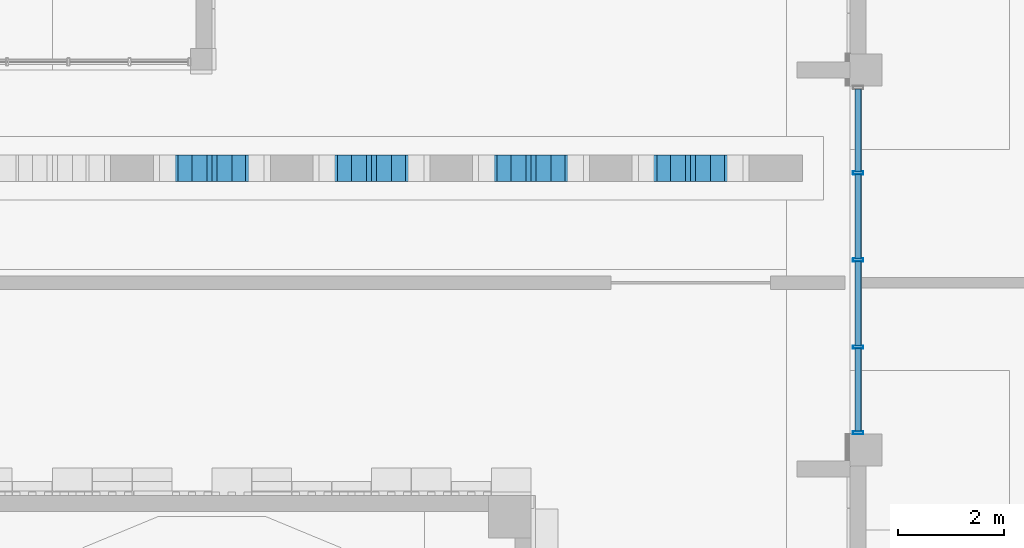
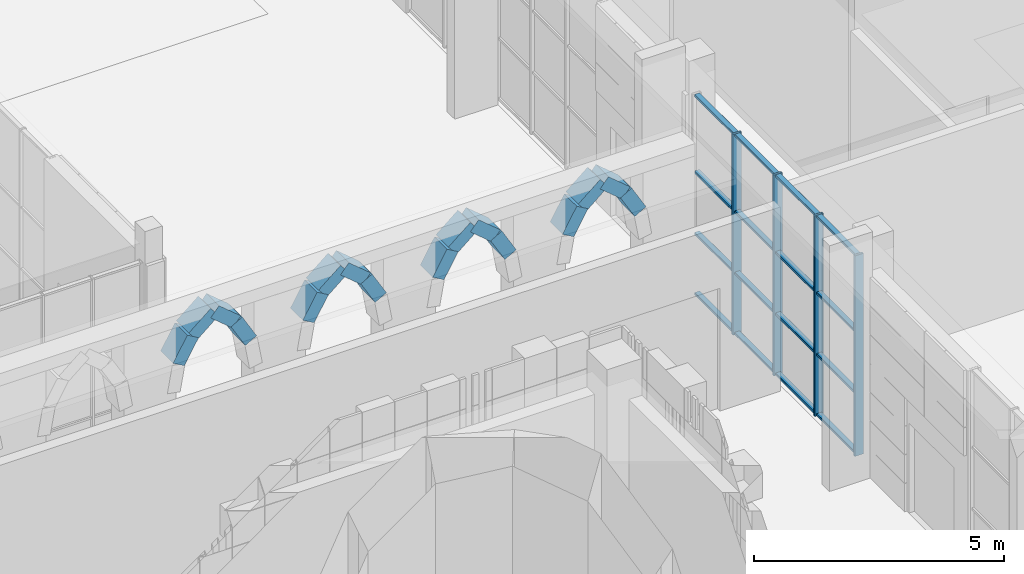
# One storey, part 27 of 125: 36 members, 1 element without a shape of its own.
"""IFC4 building model written with IfcOpenShell, lengths in metres."""

from ifc_helpers import new_model, si_unit, direction, frame, origin, origin_2d, place, context, subcontext, project, spatial, rectangle, hollow_rectangle, extrude, material, material_profile, profile_set, type_object, element, aggregate, save


model = new_model("IFC4")

# Units and contexts
model_context = context("Model", 3, precision=1e-05, world=origin(), true_north=direction((0.0, 1.0)))
body_context = subcontext(model_context, "Body", "Model", "MODEL_VIEW")
ifc_project = project(units=[si_unit("LENGTHUNIT", "METRE"), si_unit("AREAUNIT", "SQUARE_METRE"), si_unit("VOLUMEUNIT", "CUBIC_METRE"), si_unit("PLANEANGLEUNIT", "RADIAN"), si_unit("MASSUNIT", "GRAM", prefix="KILO")], contexts=[model_context])

# Site, building, storey
site_placement = place(None, origin())
site = spatial("IfcSite", under=ifc_project, at=site_placement, CompositionType="ELEMENT")
building_placement = place(site_placement, origin())
building = spatial("IfcBuilding", under=site, at=building_placement, Name="Sun Court Science Centre", CompositionType="ELEMENT")
storey_placement = place(building_placement, origin())
storey = spatial("IfcBuildingStorey", under=building, at=storey_placement, Name="L00", CompositionType="ELEMENT", Elevation=0.0)

# Members
ifc_material_1 = material(Name="Concrete C30/37", Category="concrete")
ifc_material_profile_1 = material_profile(ifc_material_1, rectangle(XDim=0.5, YDim=0.300048828125, at=origin_2d()), Name="RC 500x300")
ifc_profile_set_1 = profile_set([ifc_material_profile_1], Name="Concrete C30/37")
member_type_1 = type_object("IfcMemberType", Name="Arcade arch rib RC 500x300", PredefinedType="MEMBER", material=ifc_profile_set_1)
member_1_placement = place(storey_placement, frame((65.16455078125, 34.14990234375, 3.8798828125), z_axis=(0.500117354631, 0.0, 0.865957638454), x_axis=(0.0, 1.0, 0.0)))
element("IfcMember", 1, at=member_1_placement, inside=storey, type_object=member_type_1, Name="Arcade arch rib AR1 bay 14", PredefinedType="MEMBER", context=body_context, shape_type="SweptSolid", body=[
    extrude(rectangle(XDim=0.5, YDim=0.300048828125, at=origin_2d()), origin(), (0.0, 0.0, 1.0), 0.659912109375),
])
member_2_placement = place(storey_placement, frame((65.49462890625, 34.14990234375, 4.451416015625), z_axis=(0.76603282395, 0.0, 0.642801456619), x_axis=(0.0, 1.0, 0.0)))
element("IfcMember", 2, at=member_2_placement, inside=storey, type_object=member_type_1, Name="Arcade arch rib AR1 bay 14", PredefinedType="MEMBER", context=body_context, shape_type="SweptSolid", body=[
    extrude(rectangle(XDim=0.5, YDim=0.300048828125, at=origin_2d()), origin(), (0.0, 0.0, 1.0), 0.65966796875),
])
member_3_placement = place(storey_placement, frame((66.83544921875, 34.14990234375, 3.8798828125), z_axis=(-0.500117354631, 0.0, 0.865957638454), x_axis=(0.0, -1.0, 0.0)))
element("IfcMember", 3, at=member_3_placement, inside=storey, type_object=member_type_1, Name="Arcade arch rib AR1 bay 14", PredefinedType="MEMBER", context=body_context, shape_type="SweptSolid", body=[
    extrude(rectangle(XDim=0.5, YDim=0.300048828125, at=origin_2d()), origin(), (0.0, 0.0, 1.0), 0.659912109375),
])
member_4_placement = place(storey_placement, frame((66.50537109375, 34.14990234375, 4.451416015625), z_axis=(-0.76603282395, 0.0, 0.642801456619), x_axis=(0.0, -1.0, 0.0)))
element("IfcMember", 4, at=member_4_placement, inside=storey, type_object=member_type_1, Name="Arcade arch rib AR1 bay 14", PredefinedType="MEMBER", context=body_context, shape_type="SweptSolid", body=[
    extrude(rectangle(XDim=0.5, YDim=0.300048828125, at=origin_2d()), origin(), (0.0, 0.0, 1.0), 0.65966796875),
])
member_5_placement = place(storey_placement, frame((68.16455078125, 34.14990234375, 3.8798828125), z_axis=(0.500117354631, 0.0, 0.865957638454), x_axis=(0.0, 1.0, 0.0)))
element("IfcMember", 5, at=member_5_placement, inside=storey, type_object=member_type_1, Name="Arcade arch rib AR1 bay 15", PredefinedType="MEMBER", context=body_context, shape_type="SweptSolid", body=[
    extrude(rectangle(XDim=0.5, YDim=0.300048828125, at=origin_2d()), origin(), (0.0, 0.0, 1.0), 0.659912109375),
])
member_6_placement = place(storey_placement, frame((68.49462890625, 34.14990234375, 4.451416015625), z_axis=(0.76603282395, 0.0, 0.642801456619), x_axis=(0.0, 1.0, 0.0)))
element("IfcMember", 6, at=member_6_placement, inside=storey, type_object=member_type_1, Name="Arcade arch rib AR1 bay 15", PredefinedType="MEMBER", context=body_context, shape_type="SweptSolid", body=[
    extrude(rectangle(XDim=0.5, YDim=0.300048828125, at=origin_2d()), origin(), (0.0, 0.0, 1.0), 0.65966796875),
])
member_7_placement = place(storey_placement, frame((69.83544921875, 34.14990234375, 3.8798828125), z_axis=(-0.500117354631, 0.0, 0.865957638454), x_axis=(0.0, -1.0, 0.0)))
element("IfcMember", 7, at=member_7_placement, inside=storey, type_object=member_type_1, Name="Arcade arch rib AR1 bay 15", PredefinedType="MEMBER", context=body_context, shape_type="SweptSolid", body=[
    extrude(rectangle(XDim=0.5, YDim=0.300048828125, at=origin_2d()), origin(), (0.0, 0.0, 1.0), 0.659912109375),
])
member_8_placement = place(storey_placement, frame((69.50537109375, 34.14990234375, 4.451416015625), z_axis=(-0.76603282395, 0.0, 0.642801456619), x_axis=(0.0, -1.0, 0.0)))
element("IfcMember", 8, at=member_8_placement, inside=storey, type_object=member_type_1, Name="Arcade arch rib AR1 bay 15", PredefinedType="MEMBER", context=body_context, shape_type="SweptSolid", body=[
    extrude(rectangle(XDim=0.5, YDim=0.300048828125, at=origin_2d()), origin(), (0.0, 0.0, 1.0), 0.65966796875),
])
member_9_placement = place(storey_placement, frame((71.16455078125, 34.14990234375, 3.8798828125), z_axis=(0.500117354631, 0.0, 0.865957638454), x_axis=(0.0, 1.0, 0.0)))
element("IfcMember", 9, at=member_9_placement, inside=storey, type_object=member_type_1, Name="Arcade arch rib AR1 bay 16", PredefinedType="MEMBER", context=body_context, shape_type="SweptSolid", body=[
    extrude(rectangle(XDim=0.5, YDim=0.300048828125, at=origin_2d()), origin(), (0.0, 0.0, 1.0), 0.659912109375),
])
member_10_placement = place(storey_placement, frame((71.49462890625, 34.14990234375, 4.451416015625), z_axis=(0.76603282395, 0.0, 0.642801456619), x_axis=(0.0, 1.0, 0.0)))
element("IfcMember", 10, at=member_10_placement, inside=storey, type_object=member_type_1, Name="Arcade arch rib AR1 bay 16", PredefinedType="MEMBER", context=body_context, shape_type="SweptSolid", body=[
    extrude(rectangle(XDim=0.5, YDim=0.300048828125, at=origin_2d()), origin(), (0.0, 0.0, 1.0), 0.65966796875),
])
member_11_placement = place(storey_placement, frame((72.83544921875, 34.14990234375, 3.8798828125), z_axis=(-0.500117354631, 0.0, 0.865957638454), x_axis=(0.0, -1.0, 0.0)))
element("IfcMember", 11, at=member_11_placement, inside=storey, type_object=member_type_1, Name="Arcade arch rib AR1 bay 16", PredefinedType="MEMBER", context=body_context, shape_type="SweptSolid", body=[
    extrude(rectangle(XDim=0.5, YDim=0.300048828125, at=origin_2d()), origin(), (0.0, 0.0, 1.0), 0.659912109375),
])
member_12_placement = place(storey_placement, frame((72.50537109375, 34.14990234375, 4.451416015625), z_axis=(-0.76603282395, 0.0, 0.642801456619), x_axis=(0.0, -1.0, 0.0)))
element("IfcMember", 12, at=member_12_placement, inside=storey, type_object=member_type_1, Name="Arcade arch rib AR1 bay 16", PredefinedType="MEMBER", context=body_context, shape_type="SweptSolid", body=[
    extrude(rectangle(XDim=0.5, YDim=0.300048828125, at=origin_2d()), origin(), (0.0, 0.0, 1.0), 0.65966796875),
])
member_13_placement = place(storey_placement, frame((74.16455078125, 34.14990234375, 3.8798828125), z_axis=(0.500117354631, 0.0, 0.865957638454), x_axis=(0.0, 1.0, 0.0)))
element("IfcMember", 13, at=member_13_placement, inside=storey, type_object=member_type_1, Name="Arcade arch rib AR1 bay 17", PredefinedType="MEMBER", context=body_context, shape_type="SweptSolid", body=[
    extrude(rectangle(XDim=0.5, YDim=0.300048828125, at=origin_2d()), origin(), (0.0, 0.0, 1.0), 0.659912109375),
])
member_14_placement = place(storey_placement, frame((74.49462890625, 34.14990234375, 4.451416015625), z_axis=(0.76603282395, 0.0, 0.642801456619), x_axis=(0.0, 1.0, 0.0)))
element("IfcMember", 14, at=member_14_placement, inside=storey, type_object=member_type_1, Name="Arcade arch rib AR1 bay 17", PredefinedType="MEMBER", context=body_context, shape_type="SweptSolid", body=[
    extrude(rectangle(XDim=0.5, YDim=0.300048828125, at=origin_2d()), origin(), (0.0, 0.0, 1.0), 0.65966796875),
])
member_15_placement = place(storey_placement, frame((75.83544921875, 34.14990234375, 3.8798828125), z_axis=(-0.500117354631, 0.0, 0.865957638454), x_axis=(0.0, -1.0, 0.0)))
element("IfcMember", 15, at=member_15_placement, inside=storey, type_object=member_type_1, Name="Arcade arch rib AR1 bay 17", PredefinedType="MEMBER", context=body_context, shape_type="SweptSolid", body=[
    extrude(rectangle(XDim=0.5, YDim=0.300048828125, at=origin_2d()), origin(), (0.0, 0.0, 1.0), 0.659912109375),
])
member_16_placement = place(storey_placement, frame((75.50537109375, 34.14990234375, 4.451416015625), z_axis=(-0.76603282395, 0.0, 0.642801456619), x_axis=(0.0, -1.0, 0.0)))
element("IfcMember", 16, at=member_16_placement, inside=storey, type_object=member_type_1, Name="Arcade arch rib AR1 bay 17", PredefinedType="MEMBER", context=body_context, shape_type="SweptSolid", body=[
    extrude(rectangle(XDim=0.5, YDim=0.300048828125, at=origin_2d()), origin(), (0.0, 0.0, 1.0), 0.65966796875),
])

# Curtain wall, members
ifc_material_2 = material(Name="Aluminium EN AW-6063 T6", Category="aluminium")
curtain_wall_type = type_object("IfcCurtainWallType", Name="Laboratory tall bay curtain wall 1500", PredefinedType="NOTDEFINED", material=ifc_material_2)
curtain_wall_placement = place(storey_placement, origin())
curtain_wall = element("IfcCurtainWall", 17, at=curtain_wall_placement, inside=storey, type_object=curtain_wall_type, Name="Curtain wall V4 W L00 03", PredefinedType="NOTDEFINED")
ifc_material_3 = material(Name="Aluminium EN AW-6063 T6", Category="aluminium")
ifc_material_profile_2 = material_profile(ifc_material_3, hollow_rectangle(XDim=0.06005859375, YDim=0.199951171875, WallThickness=0.0048828125, InnerFilletRadius=0.0048828125, OuterFilletRadius=0.007568359375, at=origin_2d()), Name="AL 60x200x5")
ifc_profile_set_2 = profile_set([ifc_material_profile_2], Name="Aluminium EN AW-6063 T6")
member_type_2 = type_object("IfcMemberType", Name="Curtain wall mullion AL 60x200", PredefinedType="MULLION", material=ifc_profile_set_2)
member_17_placement = place(storey_placement, frame((78.14990234375, 29.179931640625, 0.0), z_axis=(0.0, 0.0, 1.0), x_axis=(0.0, 1.0, 0.0)))
member_17 = element("IfcMember", 18, at=member_17_placement, type_object=member_type_2, Name="CW2-03 mullion 1", PredefinedType="MULLION", context=body_context, shape_type="SweptSolid", body=[
    extrude(hollow_rectangle(XDim=0.06005859375, YDim=0.199951171875, WallThickness=0.0048828125, InnerFilletRadius=0.0048828125, OuterFilletRadius=0.007568359375, at=origin_2d()), origin(), (0.0, 0.0, 1.0), 4.89990234375),
])
member_18_placement = place(storey_placement, frame((78.14990234375, 30.78759765625, 0.0), z_axis=(0.0, 0.0, 1.0), x_axis=(0.0, 1.0, 0.0)))
member_18 = element("IfcMember", 19, at=member_18_placement, type_object=member_type_2, Name="CW2-03 mullion 2", PredefinedType="MULLION", context=body_context, shape_type="SweptSolid", body=[
    extrude(hollow_rectangle(XDim=0.06005859375, YDim=0.199951171875, WallThickness=0.0048828125, InnerFilletRadius=0.0048828125, OuterFilletRadius=0.007568359375, at=origin_2d()), origin(), (0.0, 0.0, 1.0), 4.89990234375),
])
member_19_placement = place(storey_placement, frame((78.14990234375, 32.425048828125, 0.0), z_axis=(0.0, 0.0, 1.0), x_axis=(0.0, 1.0, 0.0)))
member_19 = element("IfcMember", 20, at=member_19_placement, type_object=member_type_2, Name="CW2-03 mullion 3", PredefinedType="MULLION", context=body_context, shape_type="SweptSolid", body=[
    extrude(hollow_rectangle(XDim=0.06005859375, YDim=0.199951171875, WallThickness=0.0048828125, InnerFilletRadius=0.0048828125, OuterFilletRadius=0.007568359375, at=origin_2d()), origin(), (0.0, 0.0, 1.0), 4.89990234375),
])
member_20_placement = place(storey_placement, frame((78.14990234375, 34.0625, 0.0), z_axis=(0.0, 0.0, 1.0), x_axis=(0.0, 1.0, 0.0)))
member_20 = element("IfcMember", 21, at=member_20_placement, type_object=member_type_2, Name="CW2-03 mullion 4", PredefinedType="MULLION", context=body_context, shape_type="SweptSolid", body=[
    extrude(hollow_rectangle(XDim=0.06005859375, YDim=0.199951171875, WallThickness=0.0048828125, InnerFilletRadius=0.0048828125, OuterFilletRadius=0.007568359375, at=origin_2d()), origin(), (0.0, 0.0, 1.0), 4.89990234375),
])
ifc_material_4 = material(Name="Aluminium EN AW-6063 T6", Category="aluminium")
ifc_material_profile_3 = material_profile(ifc_material_4, hollow_rectangle(XDim=0.06005859375, YDim=0.1201171875, WallThickness=0.00390625, InnerFilletRadius=0.00390625, OuterFilletRadius=0.006103515625, at=origin_2d()), Name="AL 60x120x4")
ifc_profile_set_3 = profile_set([ifc_material_profile_3], Name="Aluminium EN AW-6063 T6")
member_type_3 = type_object("IfcMemberType", Name="Curtain wall transom AL 60x120", PredefinedType="USERDEFINED", material=ifc_profile_set_3)
member_21_placement = place(storey_placement, frame((78.14990234375, 29.2099609375, 0.030029296875), z_axis=(0.0, 1.0, 0.0), x_axis=(0.0, 0.0, 1.0)))
member_21 = element("IfcMember", 22, at=member_21_placement, type_object=member_type_3, Name="CW2-03 transom 1.1", ObjectType="TRANSOM", PredefinedType="USERDEFINED", context=body_context, shape_type="SweptSolid", body=[
    extrude(hollow_rectangle(XDim=0.06005859375, YDim=0.1201171875, WallThickness=0.00390625, InnerFilletRadius=0.00390625, OuterFilletRadius=0.006103515625, at=origin_2d()), origin(), (0.0, 0.0, 1.0), 1.547607421875),
])
member_22_placement = place(storey_placement, frame((78.14990234375, 30.8173828125, 0.030029296875), z_axis=(0.0, 1.0, 0.0), x_axis=(0.0, 0.0, 1.0)))
member_22 = element("IfcMember", 23, at=member_22_placement, type_object=member_type_3, Name="CW2-03 transom 2.1", ObjectType="TRANSOM", PredefinedType="USERDEFINED", context=body_context, shape_type="SweptSolid", body=[
    extrude(hollow_rectangle(XDim=0.06005859375, YDim=0.1201171875, WallThickness=0.00390625, InnerFilletRadius=0.00390625, OuterFilletRadius=0.006103515625, at=origin_2d()), origin(), (0.0, 0.0, 1.0), 1.57763671875),
])
member_23_placement = place(storey_placement, frame((78.14990234375, 32.455078125, 0.030029296875), z_axis=(0.0, 1.0, 0.0), x_axis=(0.0, 0.0, 1.0)))
member_23 = element("IfcMember", 24, at=member_23_placement, type_object=member_type_3, Name="CW2-03 transom 3.1", ObjectType="TRANSOM", PredefinedType="USERDEFINED", context=body_context, shape_type="SweptSolid", body=[
    extrude(hollow_rectangle(XDim=0.06005859375, YDim=0.1201171875, WallThickness=0.00390625, InnerFilletRadius=0.00390625, OuterFilletRadius=0.006103515625, at=origin_2d()), origin(), (0.0, 0.0, 1.0), 1.577392578125),
])
member_24_placement = place(storey_placement, frame((78.14990234375, 34.092529296875, 0.030029296875), z_axis=(0.0, 1.0, 0.0), x_axis=(0.0, 0.0, 1.0)))
member_24 = element("IfcMember", 25, at=member_24_placement, type_object=member_type_3, Name="CW2-03 transom 4.1", ObjectType="TRANSOM", PredefinedType="USERDEFINED", context=body_context, shape_type="SweptSolid", body=[
    extrude(hollow_rectangle(XDim=0.06005859375, YDim=0.1201171875, WallThickness=0.00390625, InnerFilletRadius=0.00390625, OuterFilletRadius=0.006103515625, at=origin_2d()), origin(), (0.0, 0.0, 1.0), 1.54736328125),
])
member_25_placement = place(storey_placement, frame((78.14990234375, 29.2099609375, 1.5), z_axis=(0.0, 1.0, 0.0), x_axis=(0.0, 0.0, 1.0)))
member_25 = element("IfcMember", 26, at=member_25_placement, type_object=member_type_3, Name="CW2-03 transom 1.2", ObjectType="TRANSOM", PredefinedType="USERDEFINED", context=body_context, shape_type="SweptSolid", body=[
    extrude(hollow_rectangle(XDim=0.06005859375, YDim=0.1201171875, WallThickness=0.00390625, InnerFilletRadius=0.00390625, OuterFilletRadius=0.006103515625, at=origin_2d()), origin(), (0.0, 0.0, 1.0), 1.547607421875),
])
member_26_placement = place(storey_placement, frame((78.14990234375, 30.8173828125, 1.5), z_axis=(0.0, 1.0, 0.0), x_axis=(0.0, 0.0, 1.0)))
member_26 = element("IfcMember", 27, at=member_26_placement, type_object=member_type_3, Name="CW2-03 transom 2.2", ObjectType="TRANSOM", PredefinedType="USERDEFINED", context=body_context, shape_type="SweptSolid", body=[
    extrude(hollow_rectangle(XDim=0.06005859375, YDim=0.1201171875, WallThickness=0.00390625, InnerFilletRadius=0.00390625, OuterFilletRadius=0.006103515625, at=origin_2d()), origin(), (0.0, 0.0, 1.0), 1.57763671875),
])
member_27_placement = place(storey_placement, frame((78.14990234375, 32.455078125, 1.5), z_axis=(0.0, 1.0, 0.0), x_axis=(0.0, 0.0, 1.0)))
member_27 = element("IfcMember", 28, at=member_27_placement, type_object=member_type_3, Name="CW2-03 transom 3.2", ObjectType="TRANSOM", PredefinedType="USERDEFINED", context=body_context, shape_type="SweptSolid", body=[
    extrude(hollow_rectangle(XDim=0.06005859375, YDim=0.1201171875, WallThickness=0.00390625, InnerFilletRadius=0.00390625, OuterFilletRadius=0.006103515625, at=origin_2d()), origin(), (0.0, 0.0, 1.0), 1.577392578125),
])
member_28_placement = place(storey_placement, frame((78.14990234375, 34.092529296875, 1.5), z_axis=(0.0, 1.0, 0.0), x_axis=(0.0, 0.0, 1.0)))
member_28 = element("IfcMember", 29, at=member_28_placement, type_object=member_type_3, Name="CW2-03 transom 4.2", ObjectType="TRANSOM", PredefinedType="USERDEFINED", context=body_context, shape_type="SweptSolid", body=[
    extrude(hollow_rectangle(XDim=0.06005859375, YDim=0.1201171875, WallThickness=0.00390625, InnerFilletRadius=0.00390625, OuterFilletRadius=0.006103515625, at=origin_2d()), origin(), (0.0, 0.0, 1.0), 1.54736328125),
])
member_29_placement = place(storey_placement, frame((78.14990234375, 29.2099609375, 3.0), z_axis=(0.0, 1.0, 0.0), x_axis=(0.0, 0.0, 1.0)))
member_29 = element("IfcMember", 30, at=member_29_placement, type_object=member_type_3, Name="CW2-03 transom 1.3", ObjectType="TRANSOM", PredefinedType="USERDEFINED", context=body_context, shape_type="SweptSolid", body=[
    extrude(hollow_rectangle(XDim=0.06005859375, YDim=0.1201171875, WallThickness=0.00390625, InnerFilletRadius=0.00390625, OuterFilletRadius=0.006103515625, at=origin_2d()), origin(), (0.0, 0.0, 1.0), 1.547607421875),
])
member_30_placement = place(storey_placement, frame((78.14990234375, 30.8173828125, 3.0), z_axis=(0.0, 1.0, 0.0), x_axis=(0.0, 0.0, 1.0)))
member_30 = element("IfcMember", 31, at=member_30_placement, type_object=member_type_3, Name="CW2-03 transom 2.3", ObjectType="TRANSOM", PredefinedType="USERDEFINED", context=body_context, shape_type="SweptSolid", body=[
    extrude(hollow_rectangle(XDim=0.06005859375, YDim=0.1201171875, WallThickness=0.00390625, InnerFilletRadius=0.00390625, OuterFilletRadius=0.006103515625, at=origin_2d()), origin(), (0.0, 0.0, 1.0), 1.57763671875),
])
member_31_placement = place(storey_placement, frame((78.14990234375, 32.455078125, 3.0), z_axis=(0.0, 1.0, 0.0), x_axis=(0.0, 0.0, 1.0)))
member_31 = element("IfcMember", 32, at=member_31_placement, type_object=member_type_3, Name="CW2-03 transom 3.3", ObjectType="TRANSOM", PredefinedType="USERDEFINED", context=body_context, shape_type="SweptSolid", body=[
    extrude(hollow_rectangle(XDim=0.06005859375, YDim=0.1201171875, WallThickness=0.00390625, InnerFilletRadius=0.00390625, OuterFilletRadius=0.006103515625, at=origin_2d()), origin(), (0.0, 0.0, 1.0), 1.577392578125),
])
member_32_placement = place(storey_placement, frame((78.14990234375, 34.092529296875, 3.0), z_axis=(0.0, 1.0, 0.0), x_axis=(0.0, 0.0, 1.0)))
member_32 = element("IfcMember", 33, at=member_32_placement, type_object=member_type_3, Name="CW2-03 transom 4.3", ObjectType="TRANSOM", PredefinedType="USERDEFINED", context=body_context, shape_type="SweptSolid", body=[
    extrude(hollow_rectangle(XDim=0.06005859375, YDim=0.1201171875, WallThickness=0.00390625, InnerFilletRadius=0.00390625, OuterFilletRadius=0.006103515625, at=origin_2d()), origin(), (0.0, 0.0, 1.0), 1.54736328125),
])
member_33_placement = place(storey_placement, frame((78.14990234375, 29.2099609375, 4.8701171875), z_axis=(0.0, 1.0, 0.0), x_axis=(0.0, 0.0, 1.0)))
member_33 = element("IfcMember", 34, at=member_33_placement, type_object=member_type_3, Name="CW2-03 transom 1.4", ObjectType="TRANSOM", PredefinedType="USERDEFINED", context=body_context, shape_type="SweptSolid", body=[
    extrude(hollow_rectangle(XDim=0.06005859375, YDim=0.1201171875, WallThickness=0.00390625, InnerFilletRadius=0.00390625, OuterFilletRadius=0.006103515625, at=origin_2d()), origin(), (0.0, 0.0, 1.0), 1.547607421875),
])
member_34_placement = place(storey_placement, frame((78.14990234375, 30.8173828125, 4.8701171875), z_axis=(0.0, 1.0, 0.0), x_axis=(0.0, 0.0, 1.0)))
member_34 = element("IfcMember", 35, at=member_34_placement, type_object=member_type_3, Name="CW2-03 transom 2.4", ObjectType="TRANSOM", PredefinedType="USERDEFINED", context=body_context, shape_type="SweptSolid", body=[
    extrude(hollow_rectangle(XDim=0.06005859375, YDim=0.1201171875, WallThickness=0.00390625, InnerFilletRadius=0.00390625, OuterFilletRadius=0.006103515625, at=origin_2d()), origin(), (0.0, 0.0, 1.0), 1.57763671875),
])
member_35_placement = place(storey_placement, frame((78.14990234375, 32.455078125, 4.8701171875), z_axis=(0.0, 1.0, 0.0), x_axis=(0.0, 0.0, 1.0)))
member_35 = element("IfcMember", 36, at=member_35_placement, type_object=member_type_3, Name="CW2-03 transom 3.4", ObjectType="TRANSOM", PredefinedType="USERDEFINED", context=body_context, shape_type="SweptSolid", body=[
    extrude(hollow_rectangle(XDim=0.06005859375, YDim=0.1201171875, WallThickness=0.00390625, InnerFilletRadius=0.00390625, OuterFilletRadius=0.006103515625, at=origin_2d()), origin(), (0.0, 0.0, 1.0), 1.577392578125),
])
member_36_placement = place(storey_placement, frame((78.14990234375, 34.092529296875, 4.8701171875), z_axis=(0.0, 1.0, 0.0), x_axis=(0.0, 0.0, 1.0)))
member_36 = element("IfcMember", 37, at=member_36_placement, type_object=member_type_3, Name="CW2-03 transom 4.4", ObjectType="TRANSOM", PredefinedType="USERDEFINED", context=body_context, shape_type="SweptSolid", body=[
    extrude(hollow_rectangle(XDim=0.06005859375, YDim=0.1201171875, WallThickness=0.00390625, InnerFilletRadius=0.00390625, OuterFilletRadius=0.006103515625, at=origin_2d()), origin(), (0.0, 0.0, 1.0), 1.54736328125),
])
aggregate(curtain_wall, [member_17, member_18, member_19, member_20, member_21, member_22, member_23, member_24, member_25, member_26, member_27, member_28, member_29, member_30, member_31, member_32, member_33, member_34, member_35, member_36])

save(model, "model.ifc")
